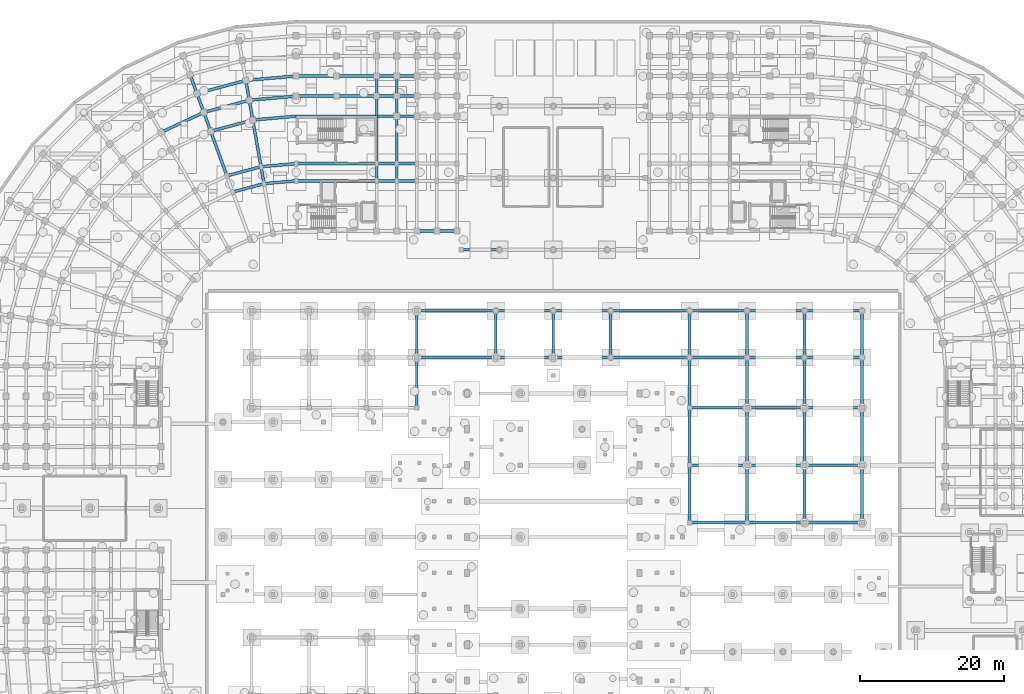
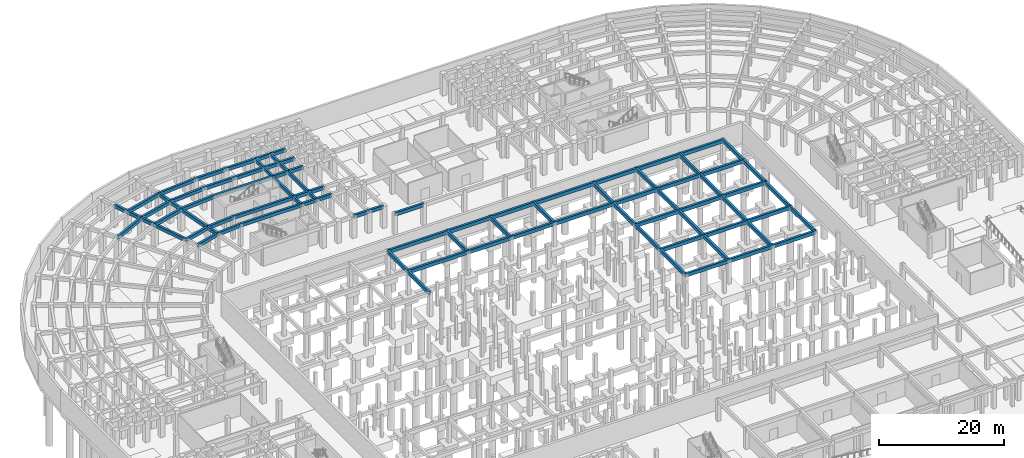
# One storey, part 24 of 53: 91 beams.
"""IFC4 building model written with IfcOpenShell, lengths in metres."""

from ifc_helpers import new_model, si_unit, direction, frame, origin, origin_2d, place, context, subcontext, project, spatial, rectangle, extrude, material, material_profile, profile_set, type_object, element, save


model = new_model("IFC4")

# Units and contexts
model_context = context("Model", 3, precision=1e-05, world=origin(), true_north=direction((0.0, 1.0)))
body_context = subcontext(model_context, "Body", "Model", "MODEL_VIEW")
ifc_project = project(units=[si_unit("LENGTHUNIT", "METRE"), si_unit("AREAUNIT", "SQUARE_METRE"), si_unit("VOLUMEUNIT", "CUBIC_METRE"), si_unit("PLANEANGLEUNIT", "RADIAN"), si_unit("MASSUNIT", "GRAM", prefix="KILO")], contexts=[model_context])

# Site, building, storey
site_placement = place(None, origin())
site = spatial("IfcSite", under=ifc_project, at=site_placement, CompositionType="ELEMENT")
building_placement = place(site_placement, origin())
building = spatial("IfcBuilding", under=site, at=building_placement, Name="Kiranvali Square Residences", CompositionType="ELEMENT")
storey_placement = place(building_placement, frame((0.0, 0.0, -4.5)))
storey = spatial("IfcBuildingStorey", under=building, at=storey_placement, Name="B1", CompositionType="ELEMENT", Elevation=-4.5)

# Beams
ifc_material_1 = material(Name="Concrete M40 (40 MPa)", Category="concrete")
ifc_material_profile_1 = material_profile(ifc_material_1, rectangle(XDim=0.35009765625, YDim=0.64990234375, at=origin_2d()), Name="RC 350x650")
ifc_profile_set_1 = profile_set([ifc_material_profile_1], Name="Concrete M40 (40 MPa)")
beam_type_1 = type_object("IfcBeamType", Name="BM-M40-350x650", PredefinedType="BEAM", material=ifc_profile_set_1)
beam_1_placement = place(storey_placement, frame((59.39990234375, 113.60009765625, 3.955078125), z_axis=(0.0, 1.0, 0.0), x_axis=(-1.0, 0.0, 0.0)))
element("IfcBeam", 1, at=beam_1_placement, inside=storey, type_object=beam_type_1, Name="B1 beam BM-A-B1-A1T1-12", PredefinedType="BEAM", context=body_context, shape_type="SweptSolid", body=[
    extrude(rectangle(XDim=0.35009765625, YDim=0.64990234375, at=origin_2d()), origin(), (0.0, 0.0, 1.0), 2.39990234375),
])
beam_2_placement = place(storey_placement, frame((59.39990234375, 116.0, 3.955078125), z_axis=(0.0, 1.0, 0.0), x_axis=(-1.0, 0.0, 0.0)))
element("IfcBeam", 2, at=beam_2_placement, inside=storey, type_object=beam_type_1, Name="B1 beam BM-A-B1-A1T1-23", PredefinedType="BEAM", context=body_context, shape_type="SweptSolid", body=[
    extrude(rectangle(XDim=0.35009765625, YDim=0.64990234375, at=origin_2d()), origin(), (0.0, 0.0, 1.0), 6.60009765625),
])
beam_3_placement = place(storey_placement, frame((59.39990234375, 122.60009765625, 3.955078125), z_axis=(0.0, 1.0, 0.0), x_axis=(-1.0, 0.0, 0.0)))
element("IfcBeam", 3, at=beam_3_placement, inside=storey, type_object=beam_type_1, Name="B1 beam BM-A-B1-A1T1-34", PredefinedType="BEAM", context=body_context, shape_type="SweptSolid", body=[
    extrude(rectangle(XDim=0.35009765625, YDim=0.64990234375, at=origin_2d()), origin(), (0.0, 0.0, 1.0), 2.7998046875),
])
beam_4_placement = place(storey_placement, frame((59.39990234375, 125.39990234375, 3.955078125), z_axis=(0.0, 1.0, 0.0), x_axis=(-1.0, 0.0, 0.0)))
element("IfcBeam", 4, at=beam_4_placement, inside=storey, type_object=beam_type_1, Name="B1 beam BM-A-B1-A1T1-45", PredefinedType="BEAM", context=body_context, shape_type="SweptSolid", body=[
    extrude(rectangle(XDim=0.35009765625, YDim=0.64990234375, at=origin_2d()), origin(), (0.0, 0.0, 1.0), 2.800048828125),
])
beam_5_placement = place(storey_placement, frame((62.199951171875, 113.60009765625, 3.955078125), z_axis=(0.0, 1.0, 0.0), x_axis=(-1.0, 0.0, 0.0)))
element("IfcBeam", 5, at=beam_5_placement, inside=storey, type_object=beam_type_1, Name="B1 beam BM-A-B1-A1T2-12", PredefinedType="BEAM", context=body_context, shape_type="SweptSolid", body=[
    extrude(rectangle(XDim=0.35009765625, YDim=0.64990234375, at=origin_2d()), origin(), (0.0, 0.0, 1.0), 2.39990234375),
])
beam_6_placement = place(storey_placement, frame((62.199951171875, 116.0, 3.955078125), z_axis=(0.0, 1.0, 0.0), x_axis=(-1.0, 0.0, 0.0)))
element("IfcBeam", 6, at=beam_6_placement, inside=storey, type_object=beam_type_1, Name="B1 beam BM-A-B1-A1T2-23", PredefinedType="BEAM", context=body_context, shape_type="SweptSolid", body=[
    extrude(rectangle(XDim=0.35009765625, YDim=0.64990234375, at=origin_2d()), origin(), (0.0, 0.0, 1.0), 6.60009765625),
])
beam_7_placement = place(storey_placement, frame((62.199951171875, 122.60009765625, 3.955078125), z_axis=(0.0, 1.0, 0.0), x_axis=(-1.0, 0.0, 0.0)))
element("IfcBeam", 7, at=beam_7_placement, inside=storey, type_object=beam_type_1, Name="B1 beam BM-A-B1-A1T2-34", PredefinedType="BEAM", context=body_context, shape_type="SweptSolid", body=[
    extrude(rectangle(XDim=0.35009765625, YDim=0.64990234375, at=origin_2d()), origin(), (0.0, 0.0, 1.0), 2.7998046875),
])
beam_8_placement = place(storey_placement, frame((62.199951171875, 125.39990234375, 3.955078125), z_axis=(0.0, 1.0, 0.0), x_axis=(-1.0, 0.0, 0.0)))
element("IfcBeam", 8, at=beam_8_placement, inside=storey, type_object=beam_type_1, Name="B1 beam BM-A-B1-A1T2-45", PredefinedType="BEAM", context=body_context, shape_type="SweptSolid", body=[
    extrude(rectangle(XDim=0.35009765625, YDim=0.64990234375, at=origin_2d()), origin(), (0.0, 0.0, 1.0), 2.800048828125),
])
ifc_material_2 = material(Name="Concrete M45 (45 MPa)", Category="concrete")
ifc_material_profile_2 = material_profile(ifc_material_2, rectangle(XDim=0.39990234375, YDim=0.64990234375, at=origin_2d()), Name="RC 400x650")
ifc_profile_set_2 = profile_set([ifc_material_profile_2], Name="Concrete M45 (45 MPa)")
beam_type_2 = type_object("IfcBeamType", Name="BM-M45-400x650", PredefinedType="BEAM", material=ifc_profile_set_2)
beam_9_placement = place(storey_placement, frame((48.199951171875, 113.60009765625, 3.955078125), z_axis=(-0.996191949488, -0.087187153726, 0.0), x_axis=(0.087187153726, -0.996191949488, 0.0)))
element("IfcBeam", 9, at=beam_9_placement, inside=storey, type_object=beam_type_2, Name="B1 beam BM-A-B1-C00-R1", PredefinedType="BEAM", context=body_context, shape_type="SweptSolid", body=[
    extrude(rectangle(XDim=0.39990234375, YDim=0.64990234375, at=origin_2d()), origin(), (0.0, 0.0, 1.0), 4.4970703125),
])
beam_10_placement = place(storey_placement, frame((48.199951171875, 116.0, 3.955078125), z_axis=(-0.996193663584, -0.087167566415, 0.0), x_axis=(0.087167566415, -0.996193663584, 0.0)))
element("IfcBeam", 10, at=beam_10_placement, inside=storey, type_object=beam_type_2, Name="B1 beam BM-A-B1-C00-R2", PredefinedType="BEAM", context=body_context, shape_type="SweptSolid", body=[
    extrude(rectangle(XDim=0.39990234375, YDim=0.64990234375, at=origin_2d()), origin(), (0.0, 0.0, 1.0), 4.91552734375),
])
beam_11_placement = place(storey_placement, frame((48.199951171875, 122.60009765625, 3.955078125), z_axis=(-0.996193018494, -0.087174938512, 0.0), x_axis=(0.087174938512, -0.996193018494, 0.0)))
element("IfcBeam", 11, at=beam_11_placement, inside=storey, type_object=beam_type_2, Name="B1 beam BM-A-B1-C00-R3", PredefinedType="BEAM", context=body_context, shape_type="SweptSolid", body=[
    extrude(rectangle(XDim=0.39990234375, YDim=0.64990234375, at=origin_2d()), origin(), (0.0, 0.0, 1.0), 6.066162109375),
])
beam_12_placement = place(storey_placement, frame((48.199951171875, 125.39990234375, 3.955078125), z_axis=(-0.996196991902, -0.0871295204, 0.0), x_axis=(0.0871295204, -0.996196991902, 0.0)))
element("IfcBeam", 12, at=beam_12_placement, inside=storey, type_object=beam_type_2, Name="B1 beam BM-A-B1-C00-R4", PredefinedType="BEAM", context=body_context, shape_type="SweptSolid", body=[
    extrude(rectangle(XDim=0.39990234375, YDim=0.64990234375, at=origin_2d()), origin(), (0.0, 0.0, 1.0), 6.553955078125),
])
beam_13_placement = place(storey_placement, frame((48.199951171875, 128.199951171875, 3.955078125), z_axis=(-0.996194658198, -0.087156198737, 0.0), x_axis=(0.087156198737, -0.996194658198, 0.0)))
element("IfcBeam", 13, at=beam_13_placement, inside=storey, type_object=beam_type_2, Name="B1 beam BM-A-B1-C00-R5", PredefinedType="BEAM", context=body_context, shape_type="SweptSolid", body=[
    extrude(rectangle(XDim=0.39990234375, YDim=0.64990234375, at=origin_2d()), origin(), (0.0, 0.0, 1.0), 7.042236328125),
])
beam_14_placement = place(storey_placement, frame((43.719970703125, 113.2080078125, 3.955078125), z_axis=(-0.965934240054, -0.258787642463, 0.0), x_axis=(0.258787642463, -0.965934240054, 0.0)))
element("IfcBeam", 14, at=beam_14_placement, inside=storey, type_object=beam_type_2, Name="B1 beam BM-A-B1-C01-R1", PredefinedType="BEAM", context=body_context, shape_type="SweptSolid", body=[
    extrude(rectangle(XDim=0.39990234375, YDim=0.64990234375, at=origin_2d()), origin(), (0.0, 0.0, 1.0), 4.497314453125),
])
beam_15_placement = place(storey_placement, frame((43.30322265625, 115.571533203125, 3.955078125), z_axis=(-0.965930095386, -0.258803112091, 0.0), x_axis=(0.258803112091, -0.965930095386, 0.0)))
element("IfcBeam", 15, at=beam_15_placement, inside=storey, type_object=beam_type_2, Name="B1 beam BM-A-B1-C01-R2", PredefinedType="BEAM", context=body_context, shape_type="SweptSolid", body=[
    extrude(rectangle(XDim=0.39990234375, YDim=0.64990234375, at=origin_2d()), origin(), (0.0, 0.0, 1.0), 4.915771484375),
])
beam_16_placement = place(storey_placement, frame((42.156982421875, 122.0712890625, 3.955078125), z_axis=(-0.965923618901, -0.258827283048, 0.0), x_axis=(0.258827283048, -0.965923618901, 0.0)))
element("IfcBeam", 16, at=beam_16_placement, inside=storey, type_object=beam_type_2, Name="B1 beam BM-A-B1-C01-R3", PredefinedType="BEAM", context=body_context, shape_type="SweptSolid", body=[
    extrude(rectangle(XDim=0.39990234375, YDim=0.64990234375, at=origin_2d()), origin(), (0.0, 0.0, 1.0), 6.066162109375),
])
beam_17_placement = place(storey_placement, frame((41.6708984375, 124.828857421875, 3.955078125), z_axis=(-0.965918287583, -0.258847178297, 0.0), x_axis=(0.258847178297, -0.965918287583, 0.0)))
element("IfcBeam", 17, at=beam_17_placement, inside=storey, type_object=beam_type_2, Name="B1 beam BM-A-B1-C01-R4", PredefinedType="BEAM", context=body_context, shape_type="SweptSolid", body=[
    extrude(rectangle(XDim=0.39990234375, YDim=0.64990234375, at=origin_2d()), origin(), (0.0, 0.0, 1.0), 6.55419921875),
])
beam_18_placement = place(storey_placement, frame((41.1845703125, 127.586181640625, 3.955078125), z_axis=(-0.965931029817, -0.258799624492, 0.0), x_axis=(0.258799624492, -0.965931029817, 0.0)))
element("IfcBeam", 18, at=beam_18_placement, inside=storey, type_object=beam_type_2, Name="B1 beam BM-A-B1-C01-R5", PredefinedType="BEAM", context=body_context, shape_type="SweptSolid", body=[
    extrude(rectangle(XDim=0.39990234375, YDim=0.64990234375, at=origin_2d()), origin(), (0.0, 0.0, 1.0), 7.042236328125),
])
beam_19_placement = place(storey_placement, frame((35.340087890625, 123.13232421875, 3.955078125), z_axis=(-0.906318225223, -0.422595876255, 0.0), x_axis=(0.422595876255, -0.906318225223, 0.0)))
element("IfcBeam", 19, at=beam_19_placement, inside=storey, type_object=beam_type_2, Name="B1 beam BM-A-B1-C02-R4", PredefinedType="BEAM", context=body_context, shape_type="SweptSolid", body=[
    extrude(rectangle(XDim=0.39990234375, YDim=0.64990234375, at=origin_2d()), origin(), (0.0, 0.0, 1.0), 6.55419921875),
])
beam_20_placement = place(storey_placement, frame((43.719970703125, 113.2080078125, 3.955078125), z_axis=(-0.173646056486, 0.984808127031, 0.0), x_axis=(-0.984808127031, -0.173646056486, 0.0)))
element("IfcBeam", 20, at=beam_20_placement, inside=storey, type_object=beam_type_2, Name="B1 beam BM-A-B1-RAD01-12", PredefinedType="BEAM", context=body_context, shape_type="SweptSolid", body=[
    extrude(rectangle(XDim=0.39990234375, YDim=0.64990234375, at=origin_2d()), origin(), (0.0, 0.0, 1.0), 2.39990234375),
])
beam_21_placement = place(storey_placement, frame((43.30322265625, 115.571533203125, 3.955078125), z_axis=(-0.173671381499, 0.984803661269, 0.0), x_axis=(-0.984803661269, -0.173671381499, 0.0)))
element("IfcBeam", 21, at=beam_21_placement, inside=storey, type_object=beam_type_2, Name="B1 beam BM-A-B1-RAD01-23", PredefinedType="BEAM", context=body_context, shape_type="SweptSolid", body=[
    extrude(rectangle(XDim=0.39990234375, YDim=0.64990234375, at=origin_2d()), origin(), (0.0, 0.0, 1.0), 6.60009765625),
])
beam_22_placement = place(storey_placement, frame((42.156982421875, 122.0712890625, 3.955078125), z_axis=(-0.173596320392, 0.984816895441, 0.0), x_axis=(-0.984816895441, -0.173596320392, 0.0)))
element("IfcBeam", 22, at=beam_22_placement, inside=storey, type_object=beam_type_2, Name="B1 beam BM-A-B1-RAD01-34", PredefinedType="BEAM", context=body_context, shape_type="SweptSolid", body=[
    extrude(rectangle(XDim=0.39990234375, YDim=0.64990234375, at=origin_2d()), origin(), (0.0, 0.0, 1.0), 2.800048828125),
])
beam_23_placement = place(storey_placement, frame((41.6708984375, 124.828857421875, 3.955078125), z_axis=(-0.173695795656, 0.984799355489, 0.0), x_axis=(-0.984799355489, -0.173695795656, 0.0)))
element("IfcBeam", 23, at=beam_23_placement, inside=storey, type_object=beam_type_2, Name="B1 beam BM-A-B1-RAD01-45", PredefinedType="BEAM", context=body_context, shape_type="SweptSolid", body=[
    extrude(rectangle(XDim=0.39990234375, YDim=0.64990234375, at=origin_2d()), origin(), (0.0, 0.0, 1.0), 2.7998046875),
])
beam_24_placement = place(storey_placement, frame((38.554931640625, 114.29931640625, 3.955078125), z_axis=(-0.342022238372, 0.939691858249, 0.0), x_axis=(-0.939691858249, -0.342022238372, 0.0)))
element("IfcBeam", 24, at=beam_24_placement, inside=storey, type_object=beam_type_2, Name="B1 beam BM-A-B1-RAD02-23", PredefinedType="BEAM", context=body_context, shape_type="SweptSolid", body=[
    extrude(rectangle(XDim=0.39990234375, YDim=0.64990234375, at=origin_2d()), origin(), (0.0, 0.0, 1.0), 6.599853515625),
])
beam_25_placement = place(storey_placement, frame((36.297607421875, 120.501220703125, 3.955078125), z_axis=(-0.341981089711, 0.93970683422, 0.0), x_axis=(-0.93970683422, -0.341981089711, 0.0)))
element("IfcBeam", 25, at=beam_25_placement, inside=storey, type_object=beam_type_2, Name="B1 beam BM-A-B1-RAD02-34", PredefinedType="BEAM", context=body_context, shape_type="SweptSolid", body=[
    extrude(rectangle(XDim=0.39990234375, YDim=0.64990234375, at=origin_2d()), origin(), (0.0, 0.0, 1.0), 2.7998046875),
])
beam_26_placement = place(storey_placement, frame((35.340087890625, 123.13232421875, 3.955078125), z_axis=(-0.342030060398, 0.939689011208, 0.0), x_axis=(-0.939689011208, -0.342030060398, 0.0)))
element("IfcBeam", 26, at=beam_26_placement, inside=storey, type_object=beam_type_2, Name="B1 beam BM-A-B1-RAD02-45", PredefinedType="BEAM", context=body_context, shape_type="SweptSolid", body=[
    extrude(rectangle(XDim=0.39990234375, YDim=0.64990234375, at=origin_2d()), origin(), (0.0, 0.0, 1.0), 2.80029296875),
])
beam_27_placement = place(storey_placement, frame((34.38232421875, 125.763671875, 3.955078125), z_axis=(-0.341981089711, 0.93970683422, 0.0), x_axis=(-0.93970683422, -0.341981089711, 0.0)))
element("IfcBeam", 27, at=beam_27_placement, inside=storey, type_object=beam_type_2, Name="B1 beam BM-A-B1-RAD02-56", PredefinedType="BEAM", context=body_context, shape_type="SweptSolid", body=[
    extrude(rectangle(XDim=0.39990234375, YDim=0.64990234375, at=origin_2d()), origin(), (0.0, 0.0, 1.0), 2.7998046875),
])
for number, where, z_axis, x_axis, name in (
    (28, (65.0, 106.60009765625, 3.955078125), (1.0, 0.0, 0.0), (0.0, 1.0, 0.0), "B1 beam BM-A-B1-A1U3-R0"),
    (29, (67.800048828125, 106.60009765625, 3.955078125), (1.0, 0.0, 0.0), (0.0, 1.0, 0.0), "B1 beam BM-A-B1-A1U4-R0"),
):
    element("IfcBeam", number, at=place(storey_placement, frame(where, z_axis=z_axis, x_axis=x_axis)), inside=storey, type_object=beam_type_2, Name=name, PredefinedType="BEAM", context=body_context, shape_type="SweptSolid", body=[
        extrude(rectangle(XDim=0.39990234375, YDim=0.64990234375, at=origin_2d()), origin(), (0.0, 0.0, 1.0), 2.800048828125),
    ])
beam_28_placement = place(storey_placement, frame((48.199951171875, 113.60009765625, 3.955078125), z_axis=(1.0, 0.0, 0.0), x_axis=(0.0, 1.0, 0.0)))
element("IfcBeam", 30, at=beam_28_placement, inside=storey, type_object=beam_type_2, Name="B1 beam BM-A-B1-A1U0-R1", PredefinedType="BEAM", context=body_context, shape_type="SweptSolid", body=[
    extrude(rectangle(XDim=0.39990234375, YDim=0.64990234375, at=origin_2d()), origin(), (0.0, 0.0, 1.0), 11.199951171875),
])
for number, where, z_axis, x_axis, name in (
    (31, (59.39990234375, 113.60009765625, 3.955078125), (1.0, 0.0, 0.0), (0.0, 1.0, 0.0), "B1 beam BM-A-B1-A1U1-R1"),
    (32, (62.199951171875, 113.60009765625, 3.955078125), (1.0, 0.0, 0.0), (0.0, 1.0, 0.0), "B1 beam BM-A-B1-A1U2-R1"),
):
    element("IfcBeam", number, at=place(storey_placement, frame(where, z_axis=z_axis, x_axis=x_axis)), inside=storey, type_object=beam_type_2, Name=name, PredefinedType="BEAM", context=body_context, shape_type="SweptSolid", body=[
        extrude(rectangle(XDim=0.39990234375, YDim=0.64990234375, at=origin_2d()), origin(), (0.0, 0.0, 1.0), 2.800048828125),
    ])
beam_29_placement = place(storey_placement, frame((48.199951171875, 116.0, 3.955078125), z_axis=(1.0, 0.0, 0.0), x_axis=(0.0, 1.0, 0.0)))
element("IfcBeam", 33, at=beam_29_placement, inside=storey, type_object=beam_type_2, Name="B1 beam BM-A-B1-A1U0-R2", PredefinedType="BEAM", context=body_context, shape_type="SweptSolid", body=[
    extrude(rectangle(XDim=0.39990234375, YDim=0.64990234375, at=origin_2d()), origin(), (0.0, 0.0, 1.0), 11.199951171875),
])
for number, where, z_axis, x_axis, name in (
    (34, (59.39990234375, 116.0, 3.955078125), (1.0, 0.0, 0.0), (0.0, 1.0, 0.0), "B1 beam BM-A-B1-A1U1-R2"),
    (35, (62.199951171875, 116.0, 3.955078125), (1.0, 0.0, 0.0), (0.0, 1.0, 0.0), "B1 beam BM-A-B1-A1U2-R2"),
):
    element("IfcBeam", number, at=place(storey_placement, frame(where, z_axis=z_axis, x_axis=x_axis)), inside=storey, type_object=beam_type_2, Name=name, PredefinedType="BEAM", context=body_context, shape_type="SweptSolid", body=[
        extrude(rectangle(XDim=0.39990234375, YDim=0.64990234375, at=origin_2d()), origin(), (0.0, 0.0, 1.0), 2.800048828125),
    ])
beam_30_placement = place(storey_placement, frame((48.199951171875, 122.60009765625, 3.955078125), z_axis=(1.0, 0.0, 0.0), x_axis=(0.0, 1.0, 0.0)))
element("IfcBeam", 36, at=beam_30_placement, inside=storey, type_object=beam_type_2, Name="B1 beam BM-A-B1-A1U0-R3", PredefinedType="BEAM", context=body_context, shape_type="SweptSolid", body=[
    extrude(rectangle(XDim=0.39990234375, YDim=0.64990234375, at=origin_2d()), origin(), (0.0, 0.0, 1.0), 11.199951171875),
])
for number, where, z_axis, x_axis, name in (
    (37, (59.39990234375, 122.60009765625, 3.955078125), (1.0, 0.0, 0.0), (0.0, 1.0, 0.0), "B1 beam BM-A-B1-A1U1-R3"),
    (38, (62.199951171875, 122.60009765625, 3.955078125), (1.0, 0.0, 0.0), (0.0, 1.0, 0.0), "B1 beam BM-A-B1-A1U2-R3"),
):
    element("IfcBeam", number, at=place(storey_placement, frame(where, z_axis=z_axis, x_axis=x_axis)), inside=storey, type_object=beam_type_2, Name=name, PredefinedType="BEAM", context=body_context, shape_type="SweptSolid", body=[
        extrude(rectangle(XDim=0.39990234375, YDim=0.64990234375, at=origin_2d()), origin(), (0.0, 0.0, 1.0), 2.800048828125),
    ])
beam_31_placement = place(storey_placement, frame((48.199951171875, 125.39990234375, 3.955078125), z_axis=(1.0, 0.0, 0.0), x_axis=(0.0, 1.0, 0.0)))
element("IfcBeam", 39, at=beam_31_placement, inside=storey, type_object=beam_type_2, Name="B1 beam BM-A-B1-A1U0-R4", PredefinedType="BEAM", context=body_context, shape_type="SweptSolid", body=[
    extrude(rectangle(XDim=0.39990234375, YDim=0.64990234375, at=origin_2d()), origin(), (0.0, 0.0, 1.0), 5.60009765625),
])
beam_32_placement = place(storey_placement, frame((53.800048828125, 125.39990234375, 3.955078125), z_axis=(1.0, 0.0, 0.0), x_axis=(0.0, 1.0, 0.0)))
element("IfcBeam", 40, at=beam_32_placement, inside=storey, type_object=beam_type_2, Name="B1 beam BM-A-B1-A1U1-R4", PredefinedType="BEAM", context=body_context, shape_type="SweptSolid", body=[
    extrude(rectangle(XDim=0.39990234375, YDim=0.64990234375, at=origin_2d()), origin(), (0.0, 0.0, 1.0), 5.599853515625),
])
for number, where, z_axis, x_axis, name in (
    (41, (59.39990234375, 125.39990234375, 3.955078125), (1.0, 0.0, 0.0), (0.0, 1.0, 0.0), "B1 beam BM-A-B1-A1U2-R4"),
    (42, (62.199951171875, 125.39990234375, 3.955078125), (1.0, 0.0, 0.0), (0.0, 1.0, 0.0), "B1 beam BM-A-B1-A1U3-R4"),
):
    element("IfcBeam", number, at=place(storey_placement, frame(where, z_axis=z_axis, x_axis=x_axis)), inside=storey, type_object=beam_type_2, Name=name, PredefinedType="BEAM", context=body_context, shape_type="SweptSolid", body=[
        extrude(rectangle(XDim=0.39990234375, YDim=0.64990234375, at=origin_2d()), origin(), (0.0, 0.0, 1.0), 2.800048828125),
    ])
beam_33_placement = place(storey_placement, frame((48.199951171875, 128.199951171875, 3.955078125), z_axis=(1.0, 0.0, 0.0), x_axis=(0.0, 1.0, 0.0)))
element("IfcBeam", 43, at=beam_33_placement, inside=storey, type_object=beam_type_2, Name="B1 beam BM-A-B1-A1U0-R5", PredefinedType="BEAM", context=body_context, shape_type="SweptSolid", body=[
    extrude(rectangle(XDim=0.39990234375, YDim=0.64990234375, at=origin_2d()), origin(), (0.0, 0.0, 1.0), 5.60009765625),
])
beam_34_placement = place(storey_placement, frame((53.800048828125, 128.199951171875, 3.955078125), z_axis=(1.0, 0.0, 0.0), x_axis=(0.0, 1.0, 0.0)))
element("IfcBeam", 44, at=beam_34_placement, inside=storey, type_object=beam_type_2, Name="B1 beam BM-A-B1-A1U1-R5", PredefinedType="BEAM", context=body_context, shape_type="SweptSolid", body=[
    extrude(rectangle(XDim=0.39990234375, YDim=0.64990234375, at=origin_2d()), origin(), (0.0, 0.0, 1.0), 5.599853515625),
])
for number, where, z_axis, x_axis, name in (
    (45, (59.39990234375, 128.199951171875, 3.955078125), (1.0, 0.0, 0.0), (0.0, 1.0, 0.0), "B1 beam BM-A-B1-A1U2-R5"),
    (46, (62.199951171875, 128.199951171875, 3.955078125), (1.0, 0.0, 0.0), (0.0, 1.0, 0.0), "B1 beam BM-A-B1-A1U3-R5"),
):
    element("IfcBeam", number, at=place(storey_placement, frame(where, z_axis=z_axis, x_axis=x_axis)), inside=storey, type_object=beam_type_2, Name=name, PredefinedType="BEAM", context=body_context, shape_type="SweptSolid", body=[
        extrude(rectangle(XDim=0.39990234375, YDim=0.64990234375, at=origin_2d()), origin(), (0.0, 0.0, 1.0), 2.800048828125),
    ])
ifc_material_profile_3 = material_profile(ifc_material_2, rectangle(XDim=0.39990234375, YDim=0.699951171875, at=origin_2d()), Name="RC 400x700")
ifc_profile_set_3 = profile_set([ifc_material_profile_3], Name="Concrete M45 (45 MPa)")
beam_type_3 = type_object("IfcBeamType", Name="BM-M45-400x700", PredefinedType="BEAM", material=ifc_profile_set_3)
beam_35_placement = place(storey_placement, frame((71.199951171875, 104.0, 3.85009765625), z_axis=(1.0, 0.0, 0.0), x_axis=(0.0, 1.0, 0.0)))
element("IfcBeam", 47, at=beam_35_placement, inside=storey, type_object=beam_type_3, Name="B1 beam BM-B1-NG-104-1", PredefinedType="BEAM", context=body_context, shape_type="SweptSolid", body=[
    extrude(rectangle(XDim=0.39990234375, YDim=0.699951171875, at=origin_2d()), origin(), (0.0, 0.0, 1.0), 5.300048828125),
])
for number, where, z_axis, x_axis, name in (
    (48, (103.0, 66.0, 3.85009765625), (1.0, 0.0, 0.0), (0.0, 1.0, 0.0), "B1 beam BM-B1-GDNX-660-8"),
    (49, (111.0, 66.0, 3.85009765625), (1.0, 0.0, 0.0), (0.0, 1.0, 0.0), "B1 beam BM-B1-GDNX-660-9"),
    (50, (119.0, 66.0, 3.85009765625), (1.0, 0.0, 0.0), (0.0, 1.0, 0.0), "B1 beam BM-B1-GDNX-660-10"),
    (51, (103.0, 74.0, 3.85009765625), (1.0, 0.0, 0.0), (0.0, 1.0, 0.0), "B1 beam BM-B1-GDNX-740-8"),
    (52, (111.0, 74.0, 3.85009765625), (1.0, 0.0, 0.0), (0.0, 1.0, 0.0), "B1 beam BM-B1-GDNX-740-9"),
    (53, (119.0, 74.0, 3.85009765625), (1.0, 0.0, 0.0), (0.0, 1.0, 0.0), "B1 beam BM-B1-GDNX-740-10"),
    (54, (103.0, 82.0, 3.85009765625), (1.0, 0.0, 0.0), (0.0, 1.0, 0.0), "B1 beam BM-B1-GDNX-820-8"),
    (55, (111.0, 82.0, 3.85009765625), (1.0, 0.0, 0.0), (0.0, 1.0, 0.0), "B1 beam BM-B1-GDNX-820-9"),
    (56, (119.0, 82.0, 3.85009765625), (1.0, 0.0, 0.0), (0.0, 1.0, 0.0), "B1 beam BM-B1-GDNX-820-10"),
):
    element("IfcBeam", number, at=place(storey_placement, frame(where, z_axis=z_axis, x_axis=x_axis)), inside=storey, type_object=beam_type_3, Name=name, PredefinedType="BEAM", context=body_context, shape_type="SweptSolid", body=[
        extrude(rectangle(XDim=0.39990234375, YDim=0.699951171875, at=origin_2d()), origin(), (0.0, 0.0, 1.0), 8.0),
    ])
beam_36_placement = place(storey_placement, frame((65.0, 89.0, 3.85009765625), z_axis=(1.0, 0.0, 0.0), x_axis=(0.0, 1.0, 0.0)))
element("IfcBeam", 57, at=beam_36_placement, inside=storey, type_object=beam_type_3, Name="B1 beam BM-B1-GDNX-890-4", PredefinedType="BEAM", context=body_context, shape_type="SweptSolid", body=[
    extrude(rectangle(XDim=0.39990234375, YDim=0.699951171875, at=origin_2d()), origin(), (0.0, 0.0, 1.0), 11.0),
])
for number, where, z_axis, x_axis, name in (
    (58, (76.0, 89.0, 3.85009765625), (1.0, 0.0, 0.0), (0.0, 1.0, 0.0), "B1 beam BM-B1-GDNX-890-5"),
    (59, (84.0, 89.0, 3.85009765625), (1.0, 0.0, 0.0), (0.0, 1.0, 0.0), "B1 beam BM-B1-GDNX-890-6"),
):
    element("IfcBeam", number, at=place(storey_placement, frame(where, z_axis=z_axis, x_axis=x_axis)), inside=storey, type_object=beam_type_3, Name=name, PredefinedType="BEAM", context=body_context, shape_type="SweptSolid", body=[
        extrude(rectangle(XDim=0.39990234375, YDim=0.699951171875, at=origin_2d()), origin(), (0.0, 0.0, 1.0), 8.0),
    ])
beam_37_placement = place(storey_placement, frame((92.0, 89.0, 3.85009765625), z_axis=(1.0, 0.0, 0.0), x_axis=(0.0, 1.0, 0.0)))
element("IfcBeam", 60, at=beam_37_placement, inside=storey, type_object=beam_type_3, Name="B1 beam BM-B1-GDNX-890-7", PredefinedType="BEAM", context=body_context, shape_type="SweptSolid", body=[
    extrude(rectangle(XDim=0.39990234375, YDim=0.699951171875, at=origin_2d()), origin(), (0.0, 0.0, 1.0), 11.0),
])
for number, where, z_axis, x_axis, name in (
    (61, (103.0, 89.0, 3.85009765625), (1.0, 0.0, 0.0), (0.0, 1.0, 0.0), "B1 beam BM-B1-GDNX-890-8"),
    (62, (111.0, 89.0, 3.85009765625), (1.0, 0.0, 0.0), (0.0, 1.0, 0.0), "B1 beam BM-B1-GDNX-890-9"),
    (63, (119.0, 89.0, 3.85009765625), (1.0, 0.0, 0.0), (0.0, 1.0, 0.0), "B1 beam BM-B1-GDNX-890-10"),
):
    element("IfcBeam", number, at=place(storey_placement, frame(where, z_axis=z_axis, x_axis=x_axis)), inside=storey, type_object=beam_type_3, Name=name, PredefinedType="BEAM", context=body_context, shape_type="SweptSolid", body=[
        extrude(rectangle(XDim=0.39990234375, YDim=0.699951171875, at=origin_2d()), origin(), (0.0, 0.0, 1.0), 8.0),
    ])
beam_38_placement = place(storey_placement, frame((65.0, 95.5, 3.85009765625), z_axis=(1.0, 0.0, 0.0), x_axis=(0.0, 1.0, 0.0)))
element("IfcBeam", 64, at=beam_38_placement, inside=storey, type_object=beam_type_3, Name="B1 beam BM-B1-GDNX-955-4", PredefinedType="BEAM", context=body_context, shape_type="SweptSolid", body=[
    extrude(rectangle(XDim=0.39990234375, YDim=0.699951171875, at=origin_2d()), origin(), (0.0, 0.0, 1.0), 11.0),
])
for number, where, z_axis, x_axis, name in (
    (65, (76.0, 95.5, 3.85009765625), (1.0, 0.0, 0.0), (0.0, 1.0, 0.0), "B1 beam BM-B1-GDNX-955-5"),
    (66, (84.0, 95.5, 3.85009765625), (1.0, 0.0, 0.0), (0.0, 1.0, 0.0), "B1 beam BM-B1-GDNX-955-6"),
):
    element("IfcBeam", number, at=place(storey_placement, frame(where, z_axis=z_axis, x_axis=x_axis)), inside=storey, type_object=beam_type_3, Name=name, PredefinedType="BEAM", context=body_context, shape_type="SweptSolid", body=[
        extrude(rectangle(XDim=0.39990234375, YDim=0.699951171875, at=origin_2d()), origin(), (0.0, 0.0, 1.0), 8.0),
    ])
beam_39_placement = place(storey_placement, frame((92.0, 95.5, 3.85009765625), z_axis=(1.0, 0.0, 0.0), x_axis=(0.0, 1.0, 0.0)))
element("IfcBeam", 67, at=beam_39_placement, inside=storey, type_object=beam_type_3, Name="B1 beam BM-B1-GDNX-955-7", PredefinedType="BEAM", context=body_context, shape_type="SweptSolid", body=[
    extrude(rectangle(XDim=0.39990234375, YDim=0.699951171875, at=origin_2d()), origin(), (0.0, 0.0, 1.0), 11.0),
])
for number, where, z_axis, x_axis, name in (
    (68, (103.0, 95.5, 3.85009765625), (1.0, 0.0, 0.0), (0.0, 1.0, 0.0), "B1 beam BM-B1-GDNX-955-8"),
    (69, (111.0, 95.5, 3.85009765625), (1.0, 0.0, 0.0), (0.0, 1.0, 0.0), "B1 beam BM-B1-GDNX-955-9"),
    (70, (119.0, 95.5, 3.85009765625), (1.0, 0.0, 0.0), (0.0, 1.0, 0.0), "B1 beam BM-B1-GDNX-955-10"),
):
    element("IfcBeam", number, at=place(storey_placement, frame(where, z_axis=z_axis, x_axis=x_axis)), inside=storey, type_object=beam_type_3, Name=name, PredefinedType="BEAM", context=body_context, shape_type="SweptSolid", body=[
        extrude(rectangle(XDim=0.39990234375, YDim=0.699951171875, at=origin_2d()), origin(), (0.0, 0.0, 1.0), 8.0),
    ])
beam_40_placement = place(storey_placement, frame((65.0, 82.0, 3.85009765625), z_axis=(0.0, 1.0, 0.0), x_axis=(-1.0, 0.0, 0.0)))
element("IfcBeam", 71, at=beam_40_placement, inside=storey, type_object=beam_type_3, Name="B1 beam BM-B1-GDNY-650-6", PredefinedType="BEAM", context=body_context, shape_type="SweptSolid", body=[
    extrude(rectangle(XDim=0.39990234375, YDim=0.699951171875, at=origin_2d()), origin(), (0.0, 0.0, 1.0), 7.0),
])
for number, where, z_axis, x_axis, name in (
    (72, (65.0, 89.0, 3.85009765625), (0.0, 1.0, 0.0), (-1.0, 0.0, 0.0), "B1 beam BM-B1-GDNY-650-7"),
    (73, (76.0, 89.0, 3.85009765625), (0.0, 1.0, 0.0), (-1.0, 0.0, 0.0), "B1 beam BM-B1-GDNY-760-7"),
    (74, (84.0, 89.0, 3.85009765625), (0.0, 1.0, 0.0), (-1.0, 0.0, 0.0), "B1 beam BM-B1-GDNY-840-7"),
    (75, (92.0, 89.0, 3.85009765625), (0.0, 1.0, 0.0), (-1.0, 0.0, 0.0), "B1 beam BM-B1-GDNY-920-7"),
):
    element("IfcBeam", number, at=place(storey_placement, frame(where, z_axis=z_axis, x_axis=x_axis)), inside=storey, type_object=beam_type_3, Name=name, PredefinedType="BEAM", context=body_context, shape_type="SweptSolid", body=[
        extrude(rectangle(XDim=0.39990234375, YDim=0.699951171875, at=origin_2d()), origin(), (0.0, 0.0, 1.0), 6.5),
    ])
for number, where, z_axis, x_axis, name in (
    (76, (103.0, 66.0, 3.85009765625), (0.0, 1.0, 0.0), (-1.0, 0.0, 0.0), "B1 beam BM-B1-GDNY-1030-4"),
    (77, (103.0, 74.0, 3.85009765625), (0.0, 1.0, 0.0), (-1.0, 0.0, 0.0), "B1 beam BM-B1-GDNY-1030-5"),
):
    element("IfcBeam", number, at=place(storey_placement, frame(where, z_axis=z_axis, x_axis=x_axis)), inside=storey, type_object=beam_type_3, Name=name, PredefinedType="BEAM", context=body_context, shape_type="SweptSolid", body=[
        extrude(rectangle(XDim=0.39990234375, YDim=0.699951171875, at=origin_2d()), origin(), (0.0, 0.0, 1.0), 8.0),
    ])
beam_41_placement = place(storey_placement, frame((103.0, 82.0, 3.85009765625), z_axis=(0.0, 1.0, 0.0), x_axis=(-1.0, 0.0, 0.0)))
element("IfcBeam", 78, at=beam_41_placement, inside=storey, type_object=beam_type_3, Name="B1 beam BM-B1-GDNY-1030-6", PredefinedType="BEAM", context=body_context, shape_type="SweptSolid", body=[
    extrude(rectangle(XDim=0.39990234375, YDim=0.699951171875, at=origin_2d()), origin(), (0.0, 0.0, 1.0), 7.0),
])
beam_42_placement = place(storey_placement, frame((103.0, 89.0, 3.85009765625), z_axis=(0.0, 1.0, 0.0), x_axis=(-1.0, 0.0, 0.0)))
element("IfcBeam", 79, at=beam_42_placement, inside=storey, type_object=beam_type_3, Name="B1 beam BM-B1-GDNY-1030-7", PredefinedType="BEAM", context=body_context, shape_type="SweptSolid", body=[
    extrude(rectangle(XDim=0.39990234375, YDim=0.699951171875, at=origin_2d()), origin(), (0.0, 0.0, 1.0), 6.5),
])
for number, where, z_axis, x_axis, name in (
    (80, (111.0, 66.0, 3.85009765625), (0.0, 1.0, 0.0), (-1.0, 0.0, 0.0), "B1 beam BM-B1-GDNY-1110-4"),
    (81, (111.0, 74.0, 3.85009765625), (0.0, 1.0, 0.0), (-1.0, 0.0, 0.0), "B1 beam BM-B1-GDNY-1110-5"),
):
    element("IfcBeam", number, at=place(storey_placement, frame(where, z_axis=z_axis, x_axis=x_axis)), inside=storey, type_object=beam_type_3, Name=name, PredefinedType="BEAM", context=body_context, shape_type="SweptSolid", body=[
        extrude(rectangle(XDim=0.39990234375, YDim=0.699951171875, at=origin_2d()), origin(), (0.0, 0.0, 1.0), 8.0),
    ])
beam_43_placement = place(storey_placement, frame((111.0, 82.0, 3.85009765625), z_axis=(0.0, 1.0, 0.0), x_axis=(-1.0, 0.0, 0.0)))
element("IfcBeam", 82, at=beam_43_placement, inside=storey, type_object=beam_type_3, Name="B1 beam BM-B1-GDNY-1110-6", PredefinedType="BEAM", context=body_context, shape_type="SweptSolid", body=[
    extrude(rectangle(XDim=0.39990234375, YDim=0.699951171875, at=origin_2d()), origin(), (0.0, 0.0, 1.0), 7.0),
])
beam_44_placement = place(storey_placement, frame((111.0, 89.0, 3.85009765625), z_axis=(0.0, 1.0, 0.0), x_axis=(-1.0, 0.0, 0.0)))
element("IfcBeam", 83, at=beam_44_placement, inside=storey, type_object=beam_type_3, Name="B1 beam BM-B1-GDNY-1110-7", PredefinedType="BEAM", context=body_context, shape_type="SweptSolid", body=[
    extrude(rectangle(XDim=0.39990234375, YDim=0.699951171875, at=origin_2d()), origin(), (0.0, 0.0, 1.0), 6.5),
])
for number, where, z_axis, x_axis, name in (
    (84, (119.0, 66.0, 3.85009765625), (0.0, 1.0, 0.0), (-1.0, 0.0, 0.0), "B1 beam BM-B1-GDNY-1190-4"),
    (85, (119.0, 74.0, 3.85009765625), (0.0, 1.0, 0.0), (-1.0, 0.0, 0.0), "B1 beam BM-B1-GDNY-1190-5"),
):
    element("IfcBeam", number, at=place(storey_placement, frame(where, z_axis=z_axis, x_axis=x_axis)), inside=storey, type_object=beam_type_3, Name=name, PredefinedType="BEAM", context=body_context, shape_type="SweptSolid", body=[
        extrude(rectangle(XDim=0.39990234375, YDim=0.699951171875, at=origin_2d()), origin(), (0.0, 0.0, 1.0), 8.0),
    ])
beam_45_placement = place(storey_placement, frame((119.0, 82.0, 3.85009765625), z_axis=(0.0, 1.0, 0.0), x_axis=(-1.0, 0.0, 0.0)))
element("IfcBeam", 86, at=beam_45_placement, inside=storey, type_object=beam_type_3, Name="B1 beam BM-B1-GDNY-1190-6", PredefinedType="BEAM", context=body_context, shape_type="SweptSolid", body=[
    extrude(rectangle(XDim=0.39990234375, YDim=0.699951171875, at=origin_2d()), origin(), (0.0, 0.0, 1.0), 7.0),
])
beam_46_placement = place(storey_placement, frame((119.0, 89.0, 3.85009765625), z_axis=(0.0, 1.0, 0.0), x_axis=(-1.0, 0.0, 0.0)))
element("IfcBeam", 87, at=beam_46_placement, inside=storey, type_object=beam_type_3, Name="B1 beam BM-B1-GDNY-1190-7", PredefinedType="BEAM", context=body_context, shape_type="SweptSolid", body=[
    extrude(rectangle(XDim=0.39990234375, YDim=0.699951171875, at=origin_2d()), origin(), (0.0, 0.0, 1.0), 6.5),
])
for number, where, z_axis, x_axis, name in (
    (88, (127.0, 66.0, 3.85009765625), (0.0, 1.0, 0.0), (-1.0, 0.0, 0.0), "B1 beam BM-B1-GDNY-1270-4"),
    (89, (127.0, 74.0, 3.85009765625), (0.0, 1.0, 0.0), (-1.0, 0.0, 0.0), "B1 beam BM-B1-GDNY-1270-5"),
):
    element("IfcBeam", number, at=place(storey_placement, frame(where, z_axis=z_axis, x_axis=x_axis)), inside=storey, type_object=beam_type_3, Name=name, PredefinedType="BEAM", context=body_context, shape_type="SweptSolid", body=[
        extrude(rectangle(XDim=0.39990234375, YDim=0.699951171875, at=origin_2d()), origin(), (0.0, 0.0, 1.0), 8.0),
    ])
beam_47_placement = place(storey_placement, frame((127.0, 82.0, 3.85009765625), z_axis=(0.0, 1.0, 0.0), x_axis=(-1.0, 0.0, 0.0)))
element("IfcBeam", 90, at=beam_47_placement, inside=storey, type_object=beam_type_3, Name="B1 beam BM-B1-GDNY-1270-6", PredefinedType="BEAM", context=body_context, shape_type="SweptSolid", body=[
    extrude(rectangle(XDim=0.39990234375, YDim=0.699951171875, at=origin_2d()), origin(), (0.0, 0.0, 1.0), 7.0),
])
beam_48_placement = place(storey_placement, frame((127.0, 89.0, 3.85009765625), z_axis=(0.0, 1.0, 0.0), x_axis=(-1.0, 0.0, 0.0)))
element("IfcBeam", 91, at=beam_48_placement, inside=storey, type_object=beam_type_3, Name="B1 beam BM-B1-GDNY-1270-7", PredefinedType="BEAM", context=body_context, shape_type="SweptSolid", body=[
    extrude(rectangle(XDim=0.39990234375, YDim=0.699951171875, at=origin_2d()), origin(), (0.0, 0.0, 1.0), 6.5),
])

save(model, "model.ifc")
